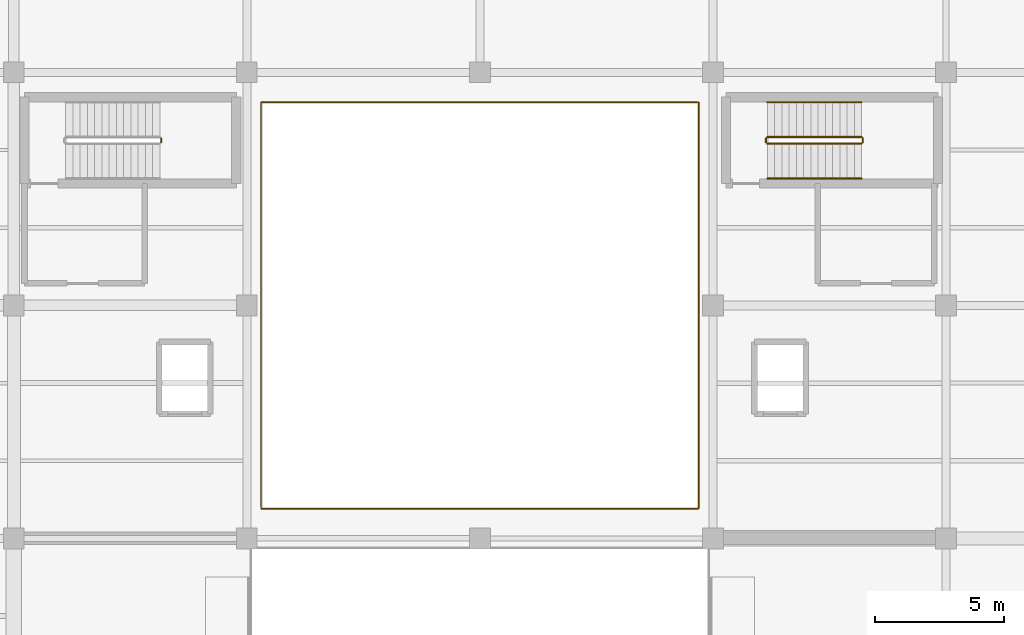
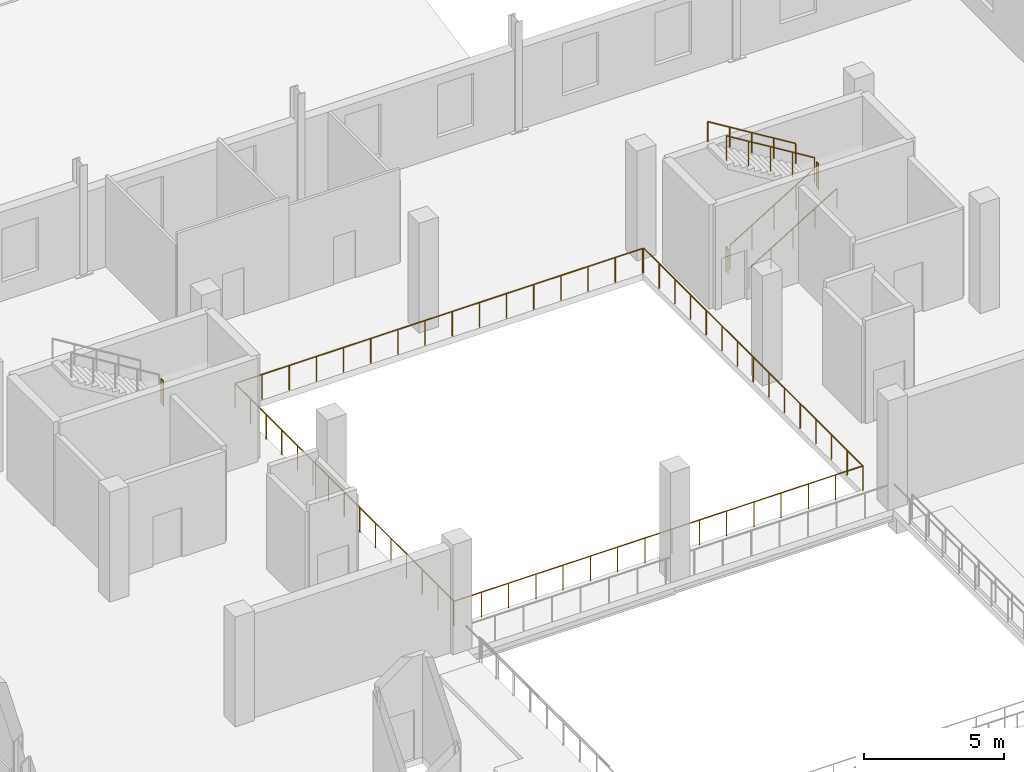
# One storey, part 33 of 35: 9 railings.
"""IFC4 building model written with IfcOpenShell, lengths in metres."""

from ifc_helpers import new_model, si_unit, direction, frame, origin, origin_2d, place, context, subcontext, project, spatial, circle, extrude, material, type_object, element, save


model = new_model("IFC4")

# Units and contexts
model_context = context("Model", 3, precision=1e-05, world=origin(), true_north=direction((0.0, 1.0)))
body_context = subcontext(model_context, "Body", "Model", "MODEL_VIEW")
ifc_project = project(units=[si_unit("LENGTHUNIT", "METRE"), si_unit("AREAUNIT", "SQUARE_METRE"), si_unit("VOLUMEUNIT", "CUBIC_METRE"), si_unit("PLANEANGLEUNIT", "RADIAN"), si_unit("MASSUNIT", "GRAM", prefix="KILO")], contexts=[model_context])

# Site, building, storey
site_placement = place(None, origin())
site = spatial("IfcSite", under=ifc_project, at=site_placement, CompositionType="ELEMENT")
building_placement = place(site_placement, origin())
building = spatial("IfcBuilding", under=site, at=building_placement, Name="Sundgate Opera House", CompositionType="ELEMENT")
storey_placement = place(building_placement, frame((0.0, 0.0, 21.60009765625)))
storey = spatial("IfcBuildingStorey", under=building, at=storey_placement, Name="L04", CompositionType="ELEMENT", Elevation=21.60009765625)

# Railings
ifc_material_1 = material(Name="Painted steel S275 guardrail", Category="steel")
railing_type_1 = type_object("IfcRailingType", Name="RL-STAIR-GUARD-1100", PredefinedType="GUARDRAIL", material=ifc_material_1)
railing_1_placement = place(storey_placement, frame((41.68994140625, 75.300048828125, 2.39990234375)))
element("IfcRailing", 1, at=railing_1_placement, inside=storey, type_object=railing_type_1, Name="ST02L04 Guardrail RL0078", PredefinedType="GUARDRAIL", context=body_context, shape_type="SweptSolid", body=[
    extrude(circle(Radius=0.02392578125, at=origin_2d()), frame((0.0, 0.0, 1.076171875), z_axis=(0.0, 1.0, 0.0), x_axis=(-1.0, 0.0, 0.0)), (0.0, 0.0, 1.0), 0.14990234375),
    extrude(circle(Radius=0.02099609375, at=origin_2d()), origin(), (0.0, 0.0, 1.0), 1.052001953125),
    extrude(circle(Radius=0.02099609375, at=origin_2d()), frame((0.0, 0.14990234375, 0.0)), (0.0, 0.0, 1.0), 1.052001953125),
])
railing_2_placement = place(storey_placement, frame((65.10009765625, 75.25, 0.17138671875)))
element("IfcRailing", 2, at=railing_2_placement, inside=storey, type_object=railing_type_1, Name="ST04L04 Guardrail RL0163", PredefinedType="GUARDRAIL", context=body_context, shape_type="SweptSolid", body=[
    extrude(circle(Radius=0.02392578125, at=origin_2d()), frame((0.0, 0.0, 1.076171875), z_axis=(0.852850264322, 0.0, 0.5221555579), x_axis=(0.0, 1.0, 0.0)), (0.0, 0.0, 1.0), 4.267822265625),
    extrude(circle(Radius=0.02099609375, at=origin_2d()), origin(), (0.0, 0.0, 1.0), 1.052001953125),
    extrude(circle(Radius=0.02099609375, at=origin_2d()), frame((0.909912109375, 0.0, 0.55712890625)), (0.0, 0.0, 1.0), 1.052001953125),
    extrude(circle(Radius=0.02099609375, at=origin_2d()), frame((1.81982421875, 0.0, 1.1142578125)), (0.0, 0.0, 1.0), 1.052001953125),
    extrude(circle(Radius=0.02099609375, at=origin_2d()), frame((2.72998046875, 0.0, 1.67138671875)), (0.0, 0.0, 1.0), 1.052001953125),
    extrude(circle(Radius=0.02099609375, at=origin_2d()), frame((3.639892578125, 0.0, 2.228515625)), (0.0, 0.0, 1.0), 1.052001953125),
])
railing_3_placement = place(storey_placement, frame((68.7900390625, 75.300048828125, 2.39990234375)))
element("IfcRailing", 3, at=railing_3_placement, inside=storey, type_object=railing_type_1, Name="ST04L04 Guardrail RL0164", PredefinedType="GUARDRAIL", context=body_context, shape_type="SweptSolid", body=[
    extrude(circle(Radius=0.02392578125, at=origin_2d()), frame((0.0, 0.0, 1.076171875), z_axis=(0.0, 1.0, 0.0), x_axis=(-1.0, 0.0, 0.0)), (0.0, 0.0, 1.0), 0.14990234375),
    extrude(circle(Radius=0.02099609375, at=origin_2d()), origin(), (0.0, 0.0, 1.0), 1.052001953125),
    extrude(circle(Radius=0.02099609375, at=origin_2d()), frame((0.0, 0.14990234375, 0.0)), (0.0, 0.0, 1.0), 1.052001953125),
])
railing_4_placement = place(storey_placement, frame((68.739990234375, 75.5, 2.5712890625)))
element("IfcRailing", 4, at=railing_4_placement, inside=storey, type_object=railing_type_1, Name="ST04L04 Guardrail RL0165", PredefinedType="GUARDRAIL", context=body_context, shape_type="SweptSolid", body=[
    extrude(circle(Radius=0.02392578125, at=origin_2d()), frame((0.0, 0.0, 1.076171875), z_axis=(-0.852850264322, 0.0, 0.5221555579), x_axis=(0.0, -1.0, 0.0)), (0.0, 0.0, 1.0), 4.267822265625),
    extrude(circle(Radius=0.02099609375, at=origin_2d()), origin(), (0.0, 0.0, 1.0), 1.052001953125),
    extrude(circle(Radius=0.02099609375, at=origin_2d()), frame((-0.909912109375, 0.0, 0.55712890625)), (0.0, 0.0, 1.0), 1.052001953125),
    extrude(circle(Radius=0.02099609375, at=origin_2d()), frame((-1.81982421875, 0.0, 1.1142578125)), (0.0, 0.0, 1.0), 1.052001953125),
    extrude(circle(Radius=0.02099609375, at=origin_2d()), frame((-2.72998046875, 0.0, 1.67138671875)), (0.0, 0.0, 1.0), 1.052001953125),
    extrude(circle(Radius=0.02099609375, at=origin_2d()), frame((-3.639892578125, 0.0, 2.228515625)), (0.0, 0.0, 1.0), 1.052001953125),
])
railing_5_placement = place(storey_placement, frame((65.050048828125, 75.300048828125, 0.0)))
element("IfcRailing", 5, at=railing_5_placement, inside=storey, type_object=railing_type_1, Name="ST04L04 Guardrail RL0166", PredefinedType="GUARDRAIL", context=body_context, shape_type="SweptSolid", body=[
    extrude(circle(Radius=0.02392578125, at=origin_2d()), frame((0.0, 0.0, 1.076171875), z_axis=(0.0, 1.0, 0.0), x_axis=(-1.0, 0.0, 0.0)), (0.0, 0.0, 1.0), 0.14990234375),
    extrude(circle(Radius=0.02099609375, at=origin_2d()), origin(), (0.0, 0.0, 1.0), 1.052001953125),
    extrude(circle(Radius=0.02099609375, at=origin_2d()), frame((0.0, 0.14990234375, 0.0)), (0.0, 0.0, 1.0), 1.052001953125),
])
railing_6_placement = place(storey_placement, frame((45.550048828125, 61.14990234375, 0.0)))
element("IfcRailing", 6, at=railing_6_placement, inside=storey, type_object=railing_type_1, Name="L04 Interior Guardrail RL0307", PredefinedType="GUARDRAIL", context=body_context, shape_type="SweptSolid", body=[
    extrude(circle(Radius=0.02392578125, at=origin_2d()), frame((0.0, 0.0, 1.076171875), z_axis=(1.0, 0.0, 0.0), x_axis=(0.0, 1.0, 0.0)), (0.0, 0.0, 1.0), 16.89990234375),
    extrude(circle(Radius=0.02392578125, at=origin_2d()), frame((16.89990234375, 0.0, 1.076171875), z_axis=(0.0, 1.0, 0.0), x_axis=(-1.0, 0.0, 0.0)), (0.0, 0.0, 1.0), 15.7001953125),
    extrude(circle(Radius=0.02099609375, at=origin_2d()), origin(), (0.0, 0.0, 1.0), 1.052001953125),
    extrude(circle(Radius=0.02099609375, at=origin_2d()), frame((1.126708984375, 0.0, 0.0)), (0.0, 0.0, 1.0), 1.052001953125),
    extrude(circle(Radius=0.02099609375, at=origin_2d()), frame((2.25341796875, 0.0, 0.0)), (0.0, 0.0, 1.0), 1.052001953125),
    extrude(circle(Radius=0.02099609375, at=origin_2d()), frame((3.3798828125, 0.0, 0.0)), (0.0, 0.0, 1.0), 1.052001953125),
    extrude(circle(Radius=0.02099609375, at=origin_2d()), frame((4.506591796875, 0.0, 0.0)), (0.0, 0.0, 1.0), 1.052001953125),
    extrude(circle(Radius=0.02099609375, at=origin_2d()), frame((5.63330078125, 0.0, 0.0)), (0.0, 0.0, 1.0), 1.052001953125),
    extrude(circle(Radius=0.02099609375, at=origin_2d()), frame((6.760009765625, 0.0, 0.0)), (0.0, 0.0, 1.0), 1.052001953125),
    extrude(circle(Radius=0.02099609375, at=origin_2d()), frame((7.88671875, 0.0, 0.0)), (0.0, 0.0, 1.0), 1.052001953125),
    extrude(circle(Radius=0.02099609375, at=origin_2d()), frame((9.01318359375, 0.0, 0.0)), (0.0, 0.0, 1.0), 1.052001953125),
    extrude(circle(Radius=0.02099609375, at=origin_2d()), frame((10.139892578125, 0.0, 0.0)), (0.0, 0.0, 1.0), 1.052001953125),
    extrude(circle(Radius=0.02099609375, at=origin_2d()), frame((11.2666015625, 0.0, 0.0)), (0.0, 0.0, 1.0), 1.052001953125),
    extrude(circle(Radius=0.02099609375, at=origin_2d()), frame((12.393310546875, 0.0, 0.0)), (0.0, 0.0, 1.0), 1.052001953125),
    extrude(circle(Radius=0.02099609375, at=origin_2d()), frame((13.52001953125, 0.0, 0.0)), (0.0, 0.0, 1.0), 1.052001953125),
    extrude(circle(Radius=0.02099609375, at=origin_2d()), frame((14.646484375, 0.0, 0.0)), (0.0, 0.0, 1.0), 1.052001953125),
    extrude(circle(Radius=0.02099609375, at=origin_2d()), frame((15.773193359375, 0.0, 0.0)), (0.0, 0.0, 1.0), 1.052001953125),
    extrude(circle(Radius=0.02099609375, at=origin_2d()), frame((16.89990234375, 0.0, 0.0)), (0.0, 0.0, 1.0), 1.052001953125),
    extrude(circle(Radius=0.02099609375, at=origin_2d()), frame((16.89990234375, 1.121337890625, 0.0)), (0.0, 0.0, 1.0), 1.052001953125),
    extrude(circle(Radius=0.02099609375, at=origin_2d()), frame((16.89990234375, 2.242919921875, 0.0)), (0.0, 0.0, 1.0), 1.052001953125),
    extrude(circle(Radius=0.02099609375, at=origin_2d()), frame((16.89990234375, 3.3642578125, 0.0)), (0.0, 0.0, 1.0), 1.052001953125),
    extrude(circle(Radius=0.02099609375, at=origin_2d()), frame((16.89990234375, 4.48583984375, 0.0)), (0.0, 0.0, 1.0), 1.052001953125),
    extrude(circle(Radius=0.02099609375, at=origin_2d()), frame((16.89990234375, 5.607177734375, 0.0)), (0.0, 0.0, 1.0), 1.052001953125),
    extrude(circle(Radius=0.02099609375, at=origin_2d()), frame((16.89990234375, 6.728759765625, 0.0)), (0.0, 0.0, 1.0), 1.052001953125),
    extrude(circle(Radius=0.02099609375, at=origin_2d()), frame((16.89990234375, 7.85009765625, 0.0)), (0.0, 0.0, 1.0), 1.052001953125),
    extrude(circle(Radius=0.02099609375, at=origin_2d()), frame((16.89990234375, 8.971435546875, 0.0)), (0.0, 0.0, 1.0), 1.052001953125),
    extrude(circle(Radius=0.02099609375, at=origin_2d()), frame((16.89990234375, 10.093017578125, 0.0)), (0.0, 0.0, 1.0), 1.052001953125),
    extrude(circle(Radius=0.02099609375, at=origin_2d()), frame((16.89990234375, 11.21435546875, 0.0)), (0.0, 0.0, 1.0), 1.052001953125),
    extrude(circle(Radius=0.02099609375, at=origin_2d()), frame((16.89990234375, 12.3359375, 0.0)), (0.0, 0.0, 1.0), 1.052001953125),
    extrude(circle(Radius=0.02099609375, at=origin_2d()), frame((16.89990234375, 13.457275390625, 0.0)), (0.0, 0.0, 1.0), 1.052001953125),
    extrude(circle(Radius=0.02099609375, at=origin_2d()), frame((16.89990234375, 14.578857421875, 0.0)), (0.0, 0.0, 1.0), 1.052001953125),
    extrude(circle(Radius=0.02099609375, at=origin_2d()), frame((16.89990234375, 15.7001953125, 0.0)), (0.0, 0.0, 1.0), 1.052001953125),
])
railing_7_placement = place(storey_placement, frame((62.39990234375, 76.85009765625, 0.0)))
element("IfcRailing", 7, at=railing_7_placement, inside=storey, type_object=railing_type_1, Name="L04 Interior Guardrail RL0308", PredefinedType="GUARDRAIL", context=body_context, shape_type="SweptSolid", body=[
    extrude(circle(Radius=0.02392578125, at=origin_2d()), frame((0.0, 0.0, 1.076171875), z_axis=(-1.0, 0.0, 0.0), x_axis=(0.0, -1.0, 0.0)), (0.0, 0.0, 1.0), 16.849853515625),
    extrude(circle(Radius=0.02392578125, at=origin_2d()), frame((-16.849853515625, 0.0, 1.076171875), z_axis=(0.0, -1.0, 0.0), x_axis=(1.0, 0.0, 0.0)), (0.0, 0.0, 1.0), 15.650146484375),
    extrude(circle(Radius=0.02099609375, at=origin_2d()), origin(), (0.0, 0.0, 1.0), 1.052001953125),
    extrude(circle(Radius=0.02099609375, at=origin_2d()), frame((-1.123291015625, 0.0, 0.0)), (0.0, 0.0, 1.0), 1.052001953125),
    extrude(circle(Radius=0.02099609375, at=origin_2d()), frame((-2.24658203125, 0.0, 0.0)), (0.0, 0.0, 1.0), 1.052001953125),
    extrude(circle(Radius=0.02099609375, at=origin_2d()), frame((-3.369873046875, 0.0, 0.0)), (0.0, 0.0, 1.0), 1.052001953125),
    extrude(circle(Radius=0.02099609375, at=origin_2d()), frame((-4.493408203125, 0.0, 0.0)), (0.0, 0.0, 1.0), 1.052001953125),
    extrude(circle(Radius=0.02099609375, at=origin_2d()), frame((-5.61669921875, 0.0, 0.0)), (0.0, 0.0, 1.0), 1.052001953125),
    extrude(circle(Radius=0.02099609375, at=origin_2d()), frame((-6.739990234375, 0.0, 0.0)), (0.0, 0.0, 1.0), 1.052001953125),
    extrude(circle(Radius=0.02099609375, at=origin_2d()), frame((-7.86328125, 0.0, 0.0)), (0.0, 0.0, 1.0), 1.052001953125),
    extrude(circle(Radius=0.02099609375, at=origin_2d()), frame((-8.986572265625, 0.0, 0.0)), (0.0, 0.0, 1.0), 1.052001953125),
    extrude(circle(Radius=0.02099609375, at=origin_2d()), frame((-10.10986328125, 0.0, 0.0)), (0.0, 0.0, 1.0), 1.052001953125),
    extrude(circle(Radius=0.02099609375, at=origin_2d()), frame((-11.233154296875, 0.0, 0.0)), (0.0, 0.0, 1.0), 1.052001953125),
    extrude(circle(Radius=0.02099609375, at=origin_2d()), frame((-12.3564453125, 0.0, 0.0)), (0.0, 0.0, 1.0), 1.052001953125),
    extrude(circle(Radius=0.02099609375, at=origin_2d()), frame((-13.47998046875, 0.0, 0.0)), (0.0, 0.0, 1.0), 1.052001953125),
    extrude(circle(Radius=0.02099609375, at=origin_2d()), frame((-14.603271484375, 0.0, 0.0)), (0.0, 0.0, 1.0), 1.052001953125),
    extrude(circle(Radius=0.02099609375, at=origin_2d()), frame((-15.7265625, 0.0, 0.0)), (0.0, 0.0, 1.0), 1.052001953125),
    extrude(circle(Radius=0.02099609375, at=origin_2d()), frame((-16.849853515625, 0.0, 0.0)), (0.0, 0.0, 1.0), 1.052001953125),
    extrude(circle(Radius=0.02099609375, at=origin_2d()), frame((-16.849853515625, -1.117919921875, 0.0)), (0.0, 0.0, 1.0), 1.052001953125),
    extrude(circle(Radius=0.02099609375, at=origin_2d()), frame((-16.849853515625, -2.23583984375, 0.0)), (0.0, 0.0, 1.0), 1.052001953125),
    extrude(circle(Radius=0.02099609375, at=origin_2d()), frame((-16.849853515625, -3.353515625, 0.0)), (0.0, 0.0, 1.0), 1.052001953125),
    extrude(circle(Radius=0.02099609375, at=origin_2d()), frame((-16.849853515625, -4.471435546875, 0.0)), (0.0, 0.0, 1.0), 1.052001953125),
    extrude(circle(Radius=0.02099609375, at=origin_2d()), frame((-16.849853515625, -5.58935546875, 0.0)), (0.0, 0.0, 1.0), 1.052001953125),
    extrude(circle(Radius=0.02099609375, at=origin_2d()), frame((-16.849853515625, -6.707275390625, 0.0)), (0.0, 0.0, 1.0), 1.052001953125),
    extrude(circle(Radius=0.02099609375, at=origin_2d()), frame((-16.849853515625, -7.8251953125, 0.0)), (0.0, 0.0, 1.0), 1.052001953125),
    extrude(circle(Radius=0.02099609375, at=origin_2d()), frame((-16.849853515625, -8.94287109375, 0.0)), (0.0, 0.0, 1.0), 1.052001953125),
    extrude(circle(Radius=0.02099609375, at=origin_2d()), frame((-16.849853515625, -10.060791015625, 0.0)), (0.0, 0.0, 1.0), 1.052001953125),
    extrude(circle(Radius=0.02099609375, at=origin_2d()), frame((-16.849853515625, -11.1787109375, 0.0)), (0.0, 0.0, 1.0), 1.052001953125),
    extrude(circle(Radius=0.02099609375, at=origin_2d()), frame((-16.849853515625, -12.296630859375, 0.0)), (0.0, 0.0, 1.0), 1.052001953125),
    extrude(circle(Radius=0.02099609375, at=origin_2d()), frame((-16.849853515625, -13.414306640625, 0.0)), (0.0, 0.0, 1.0), 1.052001953125),
    extrude(circle(Radius=0.02099609375, at=origin_2d()), frame((-16.849853515625, -14.5322265625, 0.0)), (0.0, 0.0, 1.0), 1.052001953125),
    extrude(circle(Radius=0.02099609375, at=origin_2d()), frame((-16.849853515625, -15.650146484375, 0.0)), (0.0, 0.0, 1.0), 1.052001953125),
])
ifc_material_2 = material(Name="Brushed stainless steel handrail", Category="steel")
railing_type_2 = type_object("IfcRailingType", Name="RL-STAIR-HAND-900", PredefinedType="HANDRAIL", material=ifc_material_2)
railing_8_placement = place(storey_placement, frame((65.10009765625, 73.89990234375, 0.17138671875)))
element("IfcRailing", 8, at=railing_8_placement, inside=storey, type_object=railing_type_2, Name="ST04L04 Handrail RL0167", PredefinedType="HANDRAIL", context=body_context, shape_type="SweptSolid", body=[
    extrude(circle(Radius=0.02392578125, at=origin_2d()), frame((0.0, 0.0, 0.8759765625), z_axis=(0.852850264322, 0.0, 0.5221555579), x_axis=(0.0, 1.0, 0.0)), (0.0, 0.0, 1.0), 4.267822265625),
    extrude(circle(Radius=0.02099609375, at=origin_2d()), origin(), (0.0, 0.0, 1.0), 0.851806640625),
    extrude(circle(Radius=0.02099609375, at=origin_2d()), frame((0.909912109375, 0.0, 0.55712890625)), (0.0, 0.0, 1.0), 0.851806640625),
    extrude(circle(Radius=0.02099609375, at=origin_2d()), frame((1.81982421875, 0.0, 1.1142578125)), (0.0, 0.0, 1.0), 0.851806640625),
    extrude(circle(Radius=0.02099609375, at=origin_2d()), frame((2.72998046875, 0.0, 1.67138671875)), (0.0, 0.0, 1.0), 0.851806640625),
    extrude(circle(Radius=0.02099609375, at=origin_2d()), frame((3.639892578125, 0.0, 2.228515625)), (0.0, 0.0, 1.0), 0.851806640625),
])
railing_9_placement = place(storey_placement, frame((68.739990234375, 76.85009765625, 2.5712890625)))
element("IfcRailing", 9, at=railing_9_placement, inside=storey, type_object=railing_type_2, Name="ST04L04 Handrail RL0168", PredefinedType="HANDRAIL", context=body_context, shape_type="SweptSolid", body=[
    extrude(circle(Radius=0.02392578125, at=origin_2d()), frame((0.0, 0.0, 0.8759765625), z_axis=(-0.852850264322, 0.0, 0.5221555579), x_axis=(0.0, -1.0, 0.0)), (0.0, 0.0, 1.0), 4.267822265625),
    extrude(circle(Radius=0.02099609375, at=origin_2d()), origin(), (0.0, 0.0, 1.0), 0.851806640625),
    extrude(circle(Radius=0.02099609375, at=origin_2d()), frame((-0.909912109375, 0.0, 0.55712890625)), (0.0, 0.0, 1.0), 0.851806640625),
    extrude(circle(Radius=0.02099609375, at=origin_2d()), frame((-1.81982421875, 0.0, 1.1142578125)), (0.0, 0.0, 1.0), 0.851806640625),
    extrude(circle(Radius=0.02099609375, at=origin_2d()), frame((-2.72998046875, 0.0, 1.67138671875)), (0.0, 0.0, 1.0), 0.851806640625),
    extrude(circle(Radius=0.02099609375, at=origin_2d()), frame((-3.639892578125, 0.0, 2.228515625)), (0.0, 0.0, 1.0), 0.851806640625),
])

save(model, "model.ifc")
